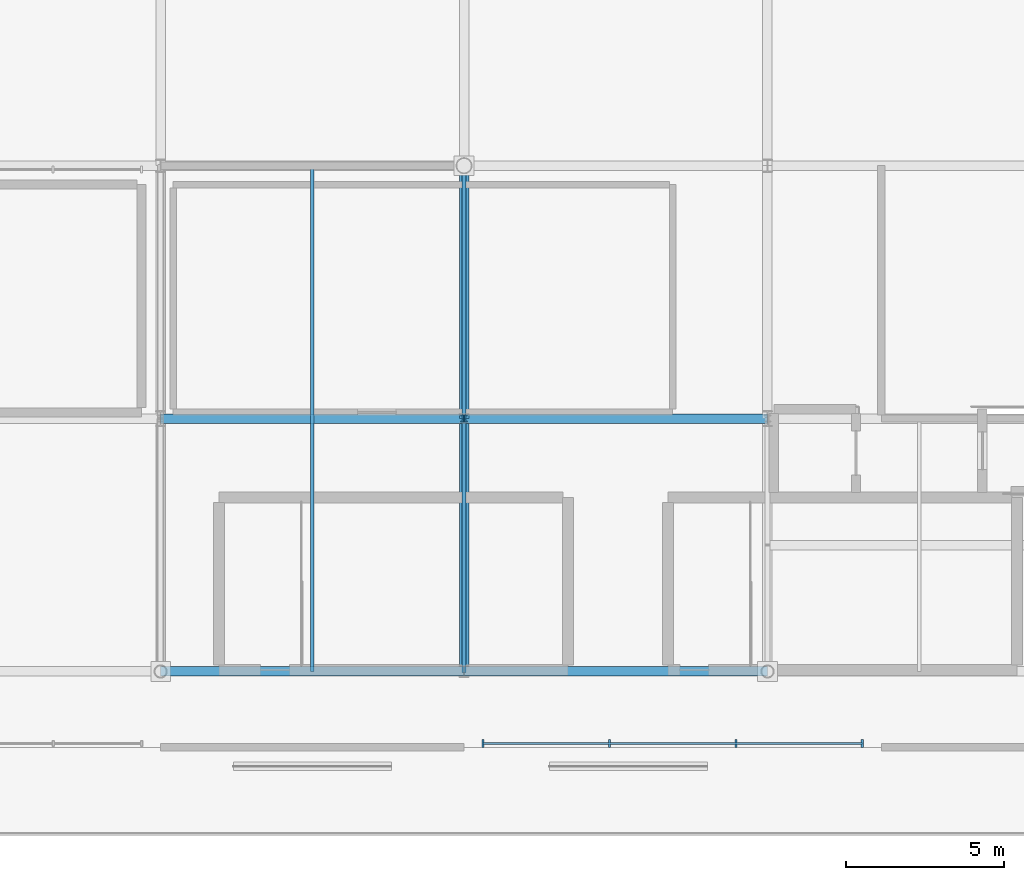
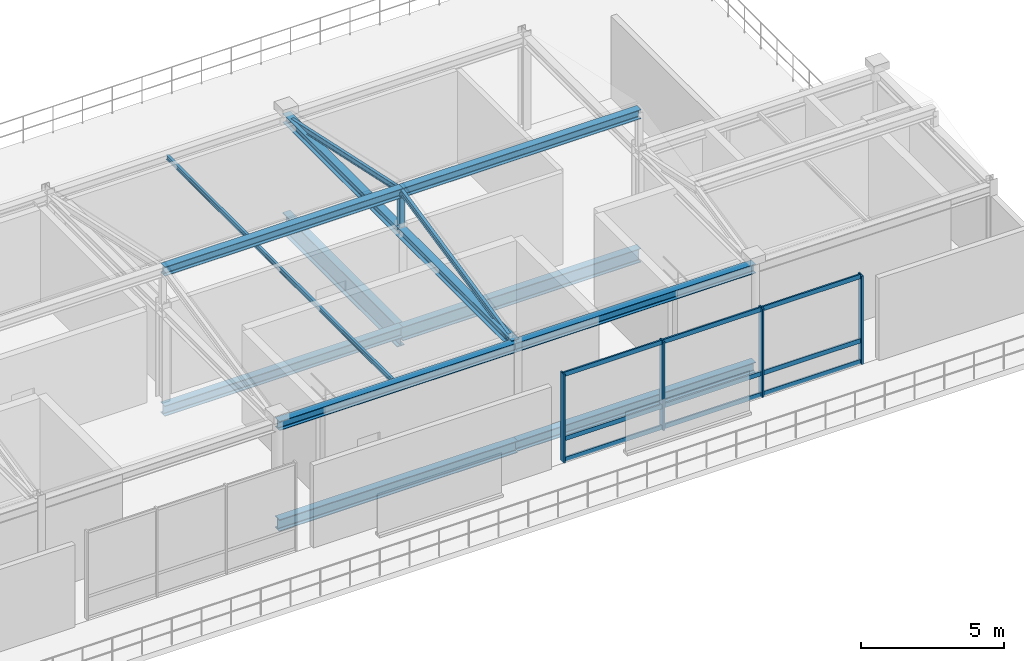
# One storey, part 10 of 26: 11 members, 10 beams, 1 element without a shape of its own.
"""IFC4 building model written with IfcOpenShell, lengths in metres."""

from ifc_helpers import new_model, si_unit, direction, frame, origin, origin_2d, place, context, subcontext, project, spatial, rectangle, i_section, extrude, material, material_profile, profile_set, type_object, element, aggregate, save


model = new_model("IFC4")

# Units and contexts
model_context = context("Model", 3, precision=1e-05, world=origin(), true_north=direction((0.0, 1.0)))
body_context = subcontext(model_context, "Body", "Model", "MODEL_VIEW")
ifc_project = project(units=[si_unit("LENGTHUNIT", "METRE"), si_unit("AREAUNIT", "SQUARE_METRE"), si_unit("VOLUMEUNIT", "CUBIC_METRE"), si_unit("PLANEANGLEUNIT", "RADIAN"), si_unit("MASSUNIT", "GRAM", prefix="KILO")], contexts=[model_context])

# Site, building, storey
site_placement = place(None, origin())
site = spatial("IfcSite", under=ifc_project, at=site_placement, CompositionType="ELEMENT")
building_placement = place(site_placement, origin())
building = spatial("IfcBuilding", under=site, at=building_placement, Name="Danafjord Basin Convention Centre", CompositionType="ELEMENT")
storey_placement = place(building_placement, frame((0.0, 0.0, 29.39990234375)))
storey = spatial("IfcBuildingStorey", under=building, at=storey_placement, Name="RF", CompositionType="ELEMENT", Elevation=29.39990234375)

# Beams
ifc_material_1 = material(Name="Steel S355", Category="steel")
ifc_material_profile_1 = material_profile(ifc_material_1, i_section(OverallWidth=0.300048828125, OverallDepth=0.389892578125, WebThickness=0.010986328125, FlangeThickness=0.01904296875, FilletRadius=0.027099609375, at=origin_2d()), Name="HEA 400")
ifc_profile_set_1 = profile_set([ifc_material_profile_1], Name="Steel S355")
beam_type_1 = type_object("IfcBeamType", Name="BEAM-BM-HEA400", PredefinedType="BEAM", material=ifc_profile_set_1)
beam_1_placement = place(storey_placement, frame((76.800048828125, 16.0, 3.800048828125), z_axis=(0.0, 1.0, 0.0), x_axis=(-1.0, 0.0, 0.0)))
element("IfcBeam", 1, at=beam_1_placement, inside=storey, type_object=beam_type_1, Name="Observatory transverse tie beam", PredefinedType="BEAM", context=body_context, shape_type="SweptSolid", body=[
    extrude(i_section(OverallWidth=0.300048828125, OverallDepth=0.389892578125, WebThickness=0.010986328125, FlangeThickness=0.01904296875, FilletRadius=0.027099609375, at=origin_2d()), origin(), (0.0, 0.0, 1.0), 16.0),
])
for number, where, z_axis, x_axis, name in (
    (2, (67.199951171875, 16.0, 3.760009765625), (1.0, 0.0, 0.0), (0.0, 1.0, 0.0), "Observatory south eave girder"),
    (3, (67.199951171875, 24.0, 5.48974609375), (1.0, 0.0, 0.0), (0.0, 1.0, 0.0), "Observatory ridge beam"),
):
    element("IfcBeam", number, at=place(storey_placement, frame(where, z_axis=z_axis, x_axis=x_axis)), inside=storey, type_object=beam_type_1, Name=name, PredefinedType="BEAM", context=body_context, shape_type="SweptSolid", body=[
        extrude(i_section(OverallWidth=0.300048828125, OverallDepth=0.389892578125, WebThickness=0.010986328125, FlangeThickness=0.01904296875, FilletRadius=0.027099609375, at=origin_2d()), origin(), (0.0, 0.0, 1.0), 9.60009765625),
    ])
for number, where, z_axis, x_axis, name in (
    (4, (76.800048828125, 16.0, 3.760009765625), (1.0, 0.0, 0.0), (0.0, 1.0, 0.0), "Observatory south eave girder"),
    (5, (76.800048828125, 24.0, 5.48974609375), (1.0, 0.0, 0.0), (0.0, 1.0, 0.0), "Observatory ridge beam"),
):
    element("IfcBeam", number, at=place(storey_placement, frame(where, z_axis=z_axis, x_axis=x_axis)), inside=storey, type_object=beam_type_1, Name=name, PredefinedType="BEAM", context=body_context, shape_type="SweptSolid", body=[
        extrude(i_section(OverallWidth=0.300048828125, OverallDepth=0.389892578125, WebThickness=0.010986328125, FlangeThickness=0.01904296875, FilletRadius=0.027099609375, at=origin_2d()), origin(), (0.0, 0.0, 1.0), 9.599853515625),
    ])
ifc_material_profile_2 = material_profile(ifc_material_1, i_section(OverallWidth=0.300048828125, OverallDepth=0.590087890625, WebThickness=0.012939453125, FlangeThickness=0.02490234375, FilletRadius=0.027099609375, at=origin_2d()), Name="HEA 600")
ifc_profile_set_2 = profile_set([ifc_material_profile_2], Name="Steel S355")
beam_type_2 = type_object("IfcBeamType", Name="BEAM-BM-HEA600", PredefinedType="BEAM", material=ifc_profile_set_2)
beam_2_placement = place(storey_placement, frame((76.800048828125, 24.0, -0.52490234375), z_axis=(1.0, 0.0, 0.0), x_axis=(0.0, 1.0, 0.0)))
element("IfcBeam", 6, at=beam_2_placement, inside=storey, type_object=beam_type_2, Name="RF girder BM-HEA600", PredefinedType="BEAM", context=body_context, shape_type="SweptSolid", body=[
    extrude(i_section(OverallWidth=0.300048828125, OverallDepth=0.590087890625, WebThickness=0.012939453125, FlangeThickness=0.02490234375, FilletRadius=0.027099609375, at=origin_2d()), origin(), (0.0, 0.0, 1.0), 9.599853515625),
])
ifc_material_profile_3 = material_profile(ifc_material_1, i_section(OverallWidth=0.300048828125, OverallDepth=0.449951171875, WebThickness=0.013916015625, FlangeThickness=0.02587890625, FilletRadius=0.027099609375, at=origin_2d()), Name="HEB 450")
ifc_profile_set_3 = profile_set([ifc_material_profile_3], Name="Steel S355")
beam_type_3 = type_object("IfcBeamType", Name="BEAM-BM-HEB450", PredefinedType="BEAM", material=ifc_profile_set_3)
beam_3_placement = place(storey_placement, frame((67.199951171875, 24.0, -0.454833984375), z_axis=(1.0, 0.0, 0.0), x_axis=(0.0, 1.0, 0.0)))
element("IfcBeam", 7, at=beam_3_placement, inside=storey, type_object=beam_type_3, Name="RF girder BM-HEB450", PredefinedType="BEAM", context=body_context, shape_type="SweptSolid", body=[
    extrude(i_section(OverallWidth=0.300048828125, OverallDepth=0.449951171875, WebThickness=0.013916015625, FlangeThickness=0.02587890625, FilletRadius=0.027099609375, at=origin_2d()), origin(), (0.0, 0.0, 1.0), 9.60009765625),
])
beam_4_placement = place(storey_placement, frame((76.800048828125, 16.0, -0.454833984375), z_axis=(1.0, 0.0, 0.0), x_axis=(0.0, 1.0, 0.0)))
element("IfcBeam", 8, at=beam_4_placement, inside=storey, type_object=beam_type_3, Name="RF girder BM-HEB450", PredefinedType="BEAM", context=body_context, shape_type="SweptSolid", body=[
    extrude(i_section(OverallWidth=0.300048828125, OverallDepth=0.449951171875, WebThickness=0.013916015625, FlangeThickness=0.02587890625, FilletRadius=0.027099609375, at=origin_2d()), origin(), (0.0, 0.0, 1.0), 9.599853515625),
])
ifc_material_profile_4 = material_profile(ifc_material_1, i_section(OverallWidth=0.300048828125, OverallDepth=0.5, WebThickness=0.014404296875, FlangeThickness=0.028076171875, FilletRadius=0.027099609375, at=origin_2d()), Name="HEB 500")
ifc_profile_set_4 = profile_set([ifc_material_profile_4], Name="Steel S355")
beam_type_4 = type_object("IfcBeamType", Name="BEAM-BM-HEB500", PredefinedType="BEAM", material=ifc_profile_set_4)
beam_5_placement = place(storey_placement, frame((67.199951171875, 16.0, -0.47998046875), z_axis=(1.0, 0.0, 0.0), x_axis=(0.0, 1.0, 0.0)))
element("IfcBeam", 9, at=beam_5_placement, inside=storey, type_object=beam_type_4, Name="RF girder BM-HEB500", PredefinedType="BEAM", context=body_context, shape_type="SweptSolid", body=[
    extrude(i_section(OverallWidth=0.300048828125, OverallDepth=0.5, WebThickness=0.014404296875, FlangeThickness=0.028076171875, FilletRadius=0.027099609375, at=origin_2d()), origin(), (0.0, 0.0, 1.0), 9.60009765625),
])
ifc_material_profile_5 = material_profile(ifc_material_1, i_section(OverallWidth=0.300048828125, OverallDepth=0.89990234375, WebThickness=0.0185546875, FlangeThickness=0.034912109375, FilletRadius=0.030029296875, at=origin_2d()), Name="HEB 900")
ifc_profile_set_5 = profile_set([ifc_material_profile_5], Name="Steel S355")
beam_type_5 = type_object("IfcBeamType", Name="BEAM-BM-HEB900", PredefinedType="BEAM", material=ifc_profile_set_5)
beam_6_placement = place(storey_placement, frame((76.800048828125, 24.0, -0.679931640625), z_axis=(0.0, 1.0, 0.0), x_axis=(-1.0, 0.0, 0.0)))
element("IfcBeam", 10, at=beam_6_placement, inside=storey, type_object=beam_type_5, Name="RF transverse girder BM-HEB900", PredefinedType="BEAM", context=body_context, shape_type="SweptSolid", body=[
    extrude(i_section(OverallWidth=0.300048828125, OverallDepth=0.89990234375, WebThickness=0.0185546875, FlangeThickness=0.034912109375, FilletRadius=0.030029296875, at=origin_2d()), origin(), (0.0, 0.0, 1.0), 8.0),
])

# Member
ifc_material_profile_6 = material_profile(ifc_material_1, i_section(OverallWidth=0.10009765625, OverallDepth=0.199951171875, WebThickness=0.005615234375, FlangeThickness=0.008544921875, FilletRadius=0.011962890625, at=origin_2d()), Name="IPE 200")
ifc_profile_set_6 = profile_set([ifc_material_profile_6], Name="Steel S355")
member_type_1 = type_object("IfcMemberType", Name="MEM-CL-IPE200", PredefinedType="COLLAR", material=ifc_profile_set_6)
member_1_placement = place(storey_placement, frame((72.0, 16.0, 3.780029296875), z_axis=(0.0, 1.0, 0.0), x_axis=(-1.0, 0.0, 0.0)))
element("IfcMember", 11, at=member_1_placement, inside=storey, type_object=member_type_1, Name="Observatory roof collar tie", PredefinedType="COLLAR", context=body_context, shape_type="SweptSolid", body=[
    extrude(i_section(OverallWidth=0.10009765625, OverallDepth=0.199951171875, WebThickness=0.005615234375, FlangeThickness=0.008544921875, FilletRadius=0.011962890625, at=origin_2d()), origin(), (0.0, 0.0, 1.0), 16.0),
])

# Curtain wall, members
ifc_material_2 = material(Name="Anodised aluminium and triple glazing", Category="aluminium")
curtain_wall_type = type_object("IfcCurtainWallType", Name="CW-CW-TERR", PredefinedType="NOTDEFINED", material=ifc_material_2)
curtain_wall_placement = place(storey_placement, origin())
curtain_wall = element("IfcCurtainWall", 12, at=curtain_wall_placement, inside=storey, type_object=curtain_wall_type, Name="RF CW-TERR unitised curtain wall bay 113", PredefinedType="NOTDEFINED")
ifc_material_3 = material(Name="Anodised aluminium EN AW-6060", Category="aluminium")
ifc_material_profile_7 = material_profile(ifc_material_3, rectangle(XDim=0.070068359375, YDim=0.260009765625, at=origin_2d()), Name="MULL 70x260")
ifc_profile_set_7 = profile_set([ifc_material_profile_7], Name="Anodised aluminium EN AW-6060")
member_type_2 = type_object("IfcMemberType", Name="MEM-ML-260", PredefinedType="MULLION", material=ifc_profile_set_7)
member_2_placement = place(storey_placement, frame((77.39990234375, 13.719970703125, -0.02490234375), z_axis=(0.0, 0.0, 1.0), x_axis=(1.0, 0.0, 0.0)))
member_2 = element("IfcMember", 13, at=member_2_placement, type_object=member_type_2, Name="CW-RF-113 mullion 1", PredefinedType="MULLION", context=body_context, shape_type="SweptSolid", body=[
    extrude(rectangle(XDim=0.070068359375, YDim=0.260009765625, at=origin_2d()), origin(), (0.0, 0.0, 1.0), 3.784912109375),
])
member_3_placement = place(storey_placement, frame((81.39990234375, 13.719970703125, -0.02490234375), z_axis=(0.0, 0.0, 1.0), x_axis=(1.0, 0.0, 0.0)))
member_3 = element("IfcMember", 14, at=member_3_placement, type_object=member_type_2, Name="CW-RF-113 mullion 2", PredefinedType="MULLION", context=body_context, shape_type="SweptSolid", body=[
    extrude(rectangle(XDim=0.070068359375, YDim=0.260009765625, at=origin_2d()), origin(), (0.0, 0.0, 1.0), 3.784912109375),
])
member_4_placement = place(storey_placement, frame((85.39990234375, 13.719970703125, -0.02490234375), z_axis=(0.0, 0.0, 1.0), x_axis=(1.0, 0.0, 0.0)))
member_4 = element("IfcMember", 15, at=member_4_placement, type_object=member_type_2, Name="CW-RF-113 mullion 3", PredefinedType="MULLION", context=body_context, shape_type="SweptSolid", body=[
    extrude(rectangle(XDim=0.070068359375, YDim=0.260009765625, at=origin_2d()), origin(), (0.0, 0.0, 1.0), 3.784912109375),
])
member_5_placement = place(storey_placement, frame((89.39990234375, 13.719970703125, -0.02490234375), z_axis=(0.0, 0.0, 1.0), x_axis=(1.0, 0.0, 0.0)))
member_5 = element("IfcMember", 16, at=member_5_placement, type_object=member_type_2, Name="CW-RF-113 mullion 4", PredefinedType="MULLION", context=body_context, shape_type="SweptSolid", body=[
    extrude(rectangle(XDim=0.070068359375, YDim=0.260009765625, at=origin_2d()), origin(), (0.0, 0.0, 1.0), 3.784912109375),
])

# Members
ifc_material_profile_8 = material_profile(ifc_material_1, i_section(OverallWidth=0.1201171875, OverallDepth=0.239990234375, WebThickness=0.006103515625, FlangeThickness=0.009765625, FilletRadius=0.014892578125, at=origin_2d()), Name="IPE 240")
ifc_profile_set_8 = profile_set([ifc_material_profile_8], Name="Steel S355")
member_type_3 = type_object("IfcMemberType", Name="MEM-RF-IPE240", PredefinedType="RAFTER", material=ifc_profile_set_8)
for number, where, z_axis, x_axis, name in (
    (17, (76.800048828125, 16.0, 3.780029296875), (0.0, 0.977413998917, 0.211333562693), (-1.0, 0.0, 0.0), "Observatory pitched roof rafter"),
    (18, (76.800048828125, 32.0, 3.780029296875), (0.0, -0.977413998917, 0.211333562693), (1.0, 0.0, 0.0), "Observatory pitched roof rafter"),
):
    element("IfcMember", number, at=place(storey_placement, frame(where, z_axis=z_axis, x_axis=x_axis)), inside=storey, type_object=member_type_3, Name=name, PredefinedType="RAFTER", context=body_context, shape_type="SweptSolid", body=[
        extrude(i_section(OverallWidth=0.1201171875, OverallDepth=0.239990234375, WebThickness=0.006103515625, FlangeThickness=0.009765625, FilletRadius=0.014892578125, at=origin_2d()), origin(), (0.0, 0.0, 1.0), 8.184814453125),
    ])
ifc_material_profile_9 = material_profile(ifc_material_1, i_section(OverallWidth=0.199951171875, OverallDepth=0.199951171875, WebThickness=0.009033203125, FlangeThickness=0.014892578125, FilletRadius=0.01806640625, at=origin_2d()), Name="HEB 200")
ifc_profile_set_9 = profile_set([ifc_material_profile_9], Name="Steel S355")
member_type_4 = type_object("IfcMemberType", Name="MEM-ST-HEB200", PredefinedType="STRUT", material=ifc_profile_set_9)
member_6_placement = place(storey_placement, frame((76.800048828125, 24.0, 3.800048828125), z_axis=(0.0, 0.0, 1.0), x_axis=(1.0, 0.0, 0.0)))
element("IfcMember", 19, at=member_6_placement, inside=storey, type_object=member_type_4, Name="Observatory ridge king-post", PredefinedType="STRUT", context=body_context, shape_type="SweptSolid", body=[
    extrude(i_section(OverallWidth=0.199951171875, OverallDepth=0.199951171875, WebThickness=0.009033203125, FlangeThickness=0.014892578125, FilletRadius=0.01806640625, at=origin_2d()), origin(), (0.0, 0.0, 1.0), 1.709716796875),
])

# Member
ifc_material_profile_10 = material_profile(ifc_material_3, rectangle(XDim=0.06494140625, YDim=0.18994140625, at=origin_2d()), Name="TRAN 65x190")
ifc_profile_set_10 = profile_set([ifc_material_profile_10], Name="Anodised aluminium EN AW-6060")
member_type_5 = type_object("IfcMemberType", Name="MEM-TR-190", PredefinedType="USERDEFINED", material=ifc_profile_set_10)
member_7_placement = place(storey_placement, frame((77.39990234375, 13.719970703125, 0.06005859375), z_axis=(1.0, 0.0, 0.0), x_axis=(0.0, 1.0, 0.0)))
member_7 = element("IfcMember", 20, at=member_7_placement, type_object=member_type_5, Name="CW-RF-113 transom 1", ObjectType="TRANSOM", PredefinedType="USERDEFINED", context=body_context, shape_type="SweptSolid", body=[
    extrude(rectangle(XDim=0.06494140625, YDim=0.18994140625, at=origin_2d()), origin(), (0.0, 0.0, 1.0), 12.0),
])

member_8_placement = place(storey_placement, frame((77.39990234375, 13.719970703125, 0.9501953125), z_axis=(1.0, 0.0, 0.0), x_axis=(0.0, 1.0, 0.0)))
member_8 = element("IfcMember", 21, at=member_8_placement, type_object=member_type_5, Name="CW-RF-113 transom 2", ObjectType="TRANSOM", PredefinedType="USERDEFINED", context=body_context, shape_type="SweptSolid", body=[
    extrude(rectangle(XDim=0.06494140625, YDim=0.18994140625, at=origin_2d()), origin(), (0.0, 0.0, 1.0), 12.0),
])

member_9_placement = place(storey_placement, frame((77.39990234375, 13.719970703125, 3.690185546875), z_axis=(1.0, 0.0, 0.0), x_axis=(0.0, 1.0, 0.0)))
member_9 = element("IfcMember", 22, at=member_9_placement, type_object=member_type_5, Name="CW-RF-113 transom 3", ObjectType="TRANSOM", PredefinedType="USERDEFINED", context=body_context, shape_type="SweptSolid", body=[
    extrude(rectangle(XDim=0.06494140625, YDim=0.18994140625, at=origin_2d()), origin(), (0.0, 0.0, 1.0), 12.0),
])

aggregate(curtain_wall, [member_2, member_3, member_4, member_5, member_7, member_8, member_9])

save(model, "model.ifc")
